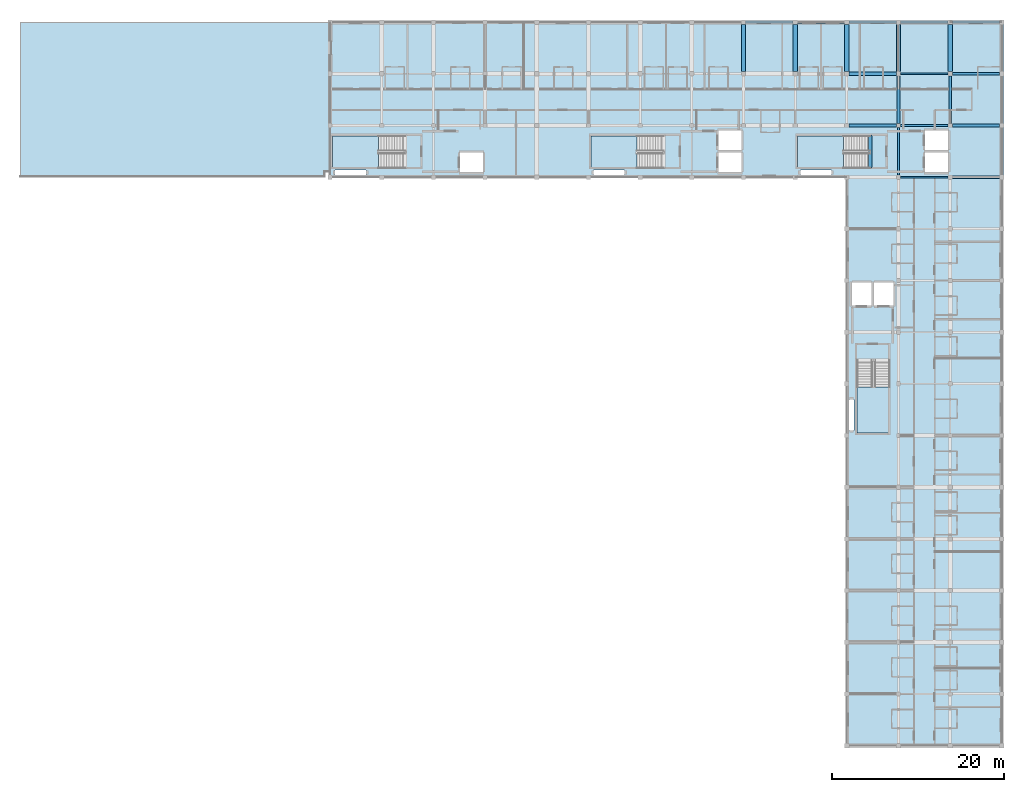
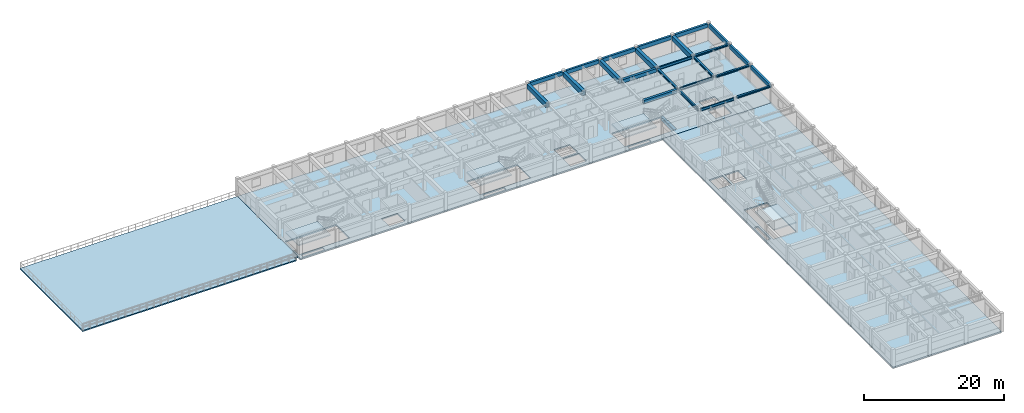
# One storey, part 2 of 15: 25 beams, 7 slabs, 4 elements without a shape of their own.
"""IFC4 building model written with IfcOpenShell, lengths in metres."""

from ifc_helpers import new_model, si_unit, direction, frame, origin, origin_2d, place, context, subcontext, project, spatial, polyline, rectangle, i_section, outline, extrude, material, layer, layer_set, material_profile, profile_set, type_object, element, aggregate, save


model = new_model("IFC4")

# Units and contexts
model_context = context("Model", 3, precision=1e-05, world=origin(), true_north=direction((0.0, 1.0)))
body_context = subcontext(model_context, "Body", "Model", "MODEL_VIEW")
ifc_project = project(units=[si_unit("LENGTHUNIT", "METRE"), si_unit("AREAUNIT", "SQUARE_METRE"), si_unit("VOLUMEUNIT", "CUBIC_METRE"), si_unit("PLANEANGLEUNIT", "RADIAN"), si_unit("MASSUNIT", "GRAM", prefix="KILO"), si_unit("THERMODYNAMICTEMPERATUREUNIT", "KELVIN"), si_unit("POWERUNIT", "WATT")], contexts=[model_context])

# Site, building, storey
site_placement = place(None, origin())
site = spatial("IfcSite", under=ifc_project, at=site_placement, CompositionType="ELEMENT")
building_placement = place(site_placement, origin())
building = spatial("IfcBuilding", under=site, at=building_placement, Name="Phaisarnlok Congress Hotel", CompositionType="ELEMENT")
storey_placement = place(building_placement, frame((0.0, 0.0, 38.10009765625)))
storey = spatial("IfcBuildingStorey", under=building, at=storey_placement, Name="L09", CompositionType="ELEMENT", Elevation=38.10009765625)

# Beams
ifc_material_1 = material(Name="Concrete C40/50", Category="concrete")
ifc_material_profile_1 = material_profile(ifc_material_1, rectangle(XDim=0.39990234375, YDim=0.60009765625, at=origin_2d()), Name="RC 400x600")
ifc_profile_set_1 = profile_set([ifc_material_profile_1], Name="Concrete C40/50")
beam_type_1 = type_object("IfcBeamType", Name="BM-RC-400x600", PredefinedType="BEAM", material=ifc_profile_set_1)
for number, where, z_axis, x_axis, name in (
    (1, (162.2451171875, 114.0, 2.760009765625), (1.0, 0.0, 0.0), (0.0, 1.0, 0.0), "Beam B-02"),
    (2, (162.2451171875, 120.0, 2.760009765625), (1.0, 0.0, 0.0), (0.0, 1.0, 0.0), "Beam B-02"),
):
    element("IfcBeam", number, at=place(storey_placement, frame(where, z_axis=z_axis, x_axis=x_axis)), inside=storey, type_object=beam_type_1, Name=name, PredefinedType="BEAM", context=body_context, shape_type="SweptSolid", body=[
        extrude(rectangle(XDim=0.39990234375, YDim=0.60009765625, at=origin_2d()), origin(), (0.0, 0.0, 1.0), 5.509765625),
    ])
beam_1_placement = place(storey_placement, frame((164.719970703125, 109.080078125, -0.300048828125), z_axis=(0.0, 1.0, 0.0), x_axis=(-1.0, 0.0, 0.0)))
element("IfcBeam", 3, at=beam_1_placement, inside=storey, type_object=beam_type_1, Name="Stair landing header beam B-02 (CORE-1 L09)", PredefinedType="BEAM", context=body_context, shape_type="SweptSolid", body=[
    extrude(rectangle(XDim=0.39990234375, YDim=0.60009765625, at=origin_2d()), origin(), (0.0, 0.0, 1.0), 3.83984375),
])
ifc_material_profile_2 = material_profile(ifc_material_1, rectangle(XDim=0.5, YDim=0.800048828125, at=origin_2d()), Name="RC 500x800")
ifc_profile_set_2 = profile_set([ifc_material_profile_2], Name="Concrete C40/50")
beam_type_2 = type_object("IfcBeamType", Name="BM-RC-500x800", PredefinedType="BEAM", material=ifc_profile_set_2)
for number, where, z_axis, x_axis, name in (
    (4, (150.0, 120.2451171875, 2.659912109375), (0.0, 1.0, 0.0), (-1.0, 0.0, 0.0), "Beam B-04"),
    (5, (156.0, 120.2451171875, 2.659912109375), (0.0, 1.0, 0.0), (-1.0, 0.0, 0.0), "Beam B-04"),
    (6, (162.0, 120.2451171875, 2.659912109375), (0.0, 1.0, 0.0), (-1.0, 0.0, 0.0), "Beam B-04"),
    (7, (168.0, 120.2451171875, 2.659912109375), (0.0, 1.0, 0.0), (-1.0, 0.0, 0.0), "Beam B-04"),
    (8, (174.0, 120.2451171875, 2.659912109375), (0.0, 1.0, 0.0), (-1.0, 0.0, 0.0), "Beam B-04"),
):
    element("IfcBeam", number, at=place(storey_placement, frame(where, z_axis=z_axis, x_axis=x_axis)), inside=storey, type_object=beam_type_2, Name=name, PredefinedType="BEAM", context=body_context, shape_type="SweptSolid", body=[
        extrude(rectangle(XDim=0.5, YDim=0.800048828125, at=origin_2d()), origin(), (0.0, 0.0, 1.0), 5.509765625),
    ])
ifc_material_2 = material(Name="Steel S355", Category="steel")
ifc_material_profile_3 = material_profile(ifc_material_2, i_section(OverallWidth=0.300048828125, OverallDepth=0.2900390625, WebThickness=0.008544921875, FlangeThickness=0.013916015625, FilletRadius=0.027099609375, at=origin_2d()), Name="HEA 300")
ifc_profile_set_3 = profile_set([ifc_material_profile_3], Name="Steel S355")
beam_type_3 = type_object("IfcBeamType", Name="BM-STL-HEA300", PredefinedType="BEAM", material=ifc_profile_set_3)
for number, where, z_axis, x_axis, name in (
    (9, (174.2451171875, 108.0, 2.914794921875), (1.0, 0.0, 0.0), (0.0, 1.0, 0.0), "Beam SB-05"),
    (10, (174.2451171875, 114.0, 2.914794921875), (1.0, 0.0, 0.0), (0.0, 1.0, 0.0), "Beam SB-05"),
    (11, (174.2451171875, 120.0, 2.914794921875), (1.0, 0.0, 0.0), (0.0, 1.0, 0.0), "Beam SB-05"),
):
    element("IfcBeam", number, at=place(storey_placement, frame(where, z_axis=z_axis, x_axis=x_axis)), inside=storey, type_object=beam_type_3, Name=name, PredefinedType="BEAM", context=body_context, shape_type="SweptSolid", body=[
        extrude(i_section(OverallWidth=0.300048828125, OverallDepth=0.2900390625, WebThickness=0.008544921875, FlangeThickness=0.013916015625, FilletRadius=0.027099609375, at=origin_2d()), origin(), (0.0, 0.0, 1.0), 5.509765625),
    ])
ifc_material_profile_4 = material_profile(ifc_material_2, i_section(OverallWidth=0.300048828125, OverallDepth=0.340087890625, WebThickness=0.011962890625, FlangeThickness=0.021484375, FilletRadius=0.027099609375, at=origin_2d()), Name="HEB 340")
ifc_profile_set_4 = profile_set([ifc_material_profile_4], Name="Steel S355")
beam_type_4 = type_object("IfcBeamType", Name="BM-STL-HEB340", PredefinedType="BEAM", material=ifc_profile_set_4)
for number, where, z_axis, x_axis, name in (
    (12, (168.0, 114.2451171875, 2.889892578125), (0.0, 1.0, 0.0), (-1.0, 0.0, 0.0), "Beam SB-07"),
    (13, (174.0, 114.2451171875, 2.889892578125), (0.0, 1.0, 0.0), (-1.0, 0.0, 0.0), "Beam SB-07"),
):
    element("IfcBeam", number, at=place(storey_placement, frame(where, z_axis=z_axis, x_axis=x_axis)), inside=storey, type_object=beam_type_4, Name=name, PredefinedType="BEAM", context=body_context, shape_type="SweptSolid", body=[
        extrude(i_section(OverallWidth=0.300048828125, OverallDepth=0.340087890625, WebThickness=0.011962890625, FlangeThickness=0.021484375, FilletRadius=0.027099609375, at=origin_2d()), origin(), (0.0, 0.0, 1.0), 5.509765625),
    ])
ifc_material_profile_5 = material_profile(ifc_material_2, i_section(OverallWidth=0.18994140625, OverallDepth=0.449951171875, WebThickness=0.009521484375, FlangeThickness=0.0146484375, FilletRadius=0.02099609375, at=origin_2d()), Name="IPE 450")
ifc_profile_set_5 = profile_set([ifc_material_profile_5], Name="Steel S355")
beam_type_5 = type_object("IfcBeamType", Name="BM-STL-IPE450", PredefinedType="BEAM", material=ifc_profile_set_5)
for number, where, z_axis, x_axis, name in (
    (14, (168.2451171875, 108.0, 2.8349609375), (1.0, 0.0, 0.0), (0.0, 1.0, 0.0), "Beam SB-01"),
    (15, (168.2451171875, 114.0, 2.8349609375), (1.0, 0.0, 0.0), (0.0, 1.0, 0.0), "Beam SB-01"),
    (16, (168.2451171875, 120.0, 2.8349609375), (1.0, 0.0, 0.0), (0.0, 1.0, 0.0), "Beam SB-01"),
):
    element("IfcBeam", number, at=place(storey_placement, frame(where, z_axis=z_axis, x_axis=x_axis)), inside=storey, type_object=beam_type_5, Name=name, PredefinedType="BEAM", context=body_context, shape_type="SweptSolid", body=[
        extrude(i_section(OverallWidth=0.18994140625, OverallDepth=0.449951171875, WebThickness=0.009521484375, FlangeThickness=0.0146484375, FilletRadius=0.02099609375, at=origin_2d()), origin(), (0.0, 0.0, 1.0), 5.509765625),
    ])
ifc_material_profile_6 = material_profile(ifc_material_2, i_section(OverallWidth=0.199951171875, OverallDepth=0.5, WebThickness=0.01025390625, FlangeThickness=0.01611328125, FilletRadius=0.02099609375, at=origin_2d()), Name="IPE 500")
ifc_profile_set_6 = profile_set([ifc_material_profile_6], Name="Steel S355")
beam_type_6 = type_object("IfcBeamType", Name="BM-STL-IPE500", PredefinedType="BEAM", material=ifc_profile_set_6)
beam_2_placement = place(storey_placement, frame((168.0, 108.2451171875, 2.809814453125), z_axis=(0.0, 1.0, 0.0), x_axis=(-1.0, 0.0, 0.0)))
element("IfcBeam", 17, at=beam_2_placement, inside=storey, type_object=beam_type_6, Name="Beam SB-02", PredefinedType="BEAM", context=body_context, shape_type="SweptSolid", body=[
    extrude(i_section(OverallWidth=0.199951171875, OverallDepth=0.5, WebThickness=0.01025390625, FlangeThickness=0.01611328125, FilletRadius=0.02099609375, at=origin_2d()), origin(), (0.0, 0.0, 1.0), 5.509765625),
])
ifc_material_profile_7 = material_profile(ifc_material_1, rectangle(XDim=0.35009765625, YDim=0.64990234375, at=origin_2d()), Name="RC 350x650")
ifc_profile_set_7 = profile_set([ifc_material_profile_7], Name="Concrete C40/50")
beam_type_7 = type_object("IfcBeamType", Name="SP-RC-350x650", PredefinedType="SPANDREL", material=ifc_profile_set_7)
for number, where, z_axis, x_axis, name in (
    (18, (150.2451171875, 126.0, 2.73486328125), (1.0, 0.0, 0.0), (0.0, 1.0, 0.0), "Beam SP-01"),
    (19, (156.2451171875, 126.0, 2.73486328125), (1.0, 0.0, 0.0), (0.0, 1.0, 0.0), "Beam SP-01"),
    (20, (162.2451171875, 126.0, 2.73486328125), (1.0, 0.0, 0.0), (0.0, 1.0, 0.0), "Beam SP-01"),
    (21, (168.2451171875, 126.0, 2.73486328125), (1.0, 0.0, 0.0), (0.0, 1.0, 0.0), "Beam SP-01"),
    (22, (174.2451171875, 126.0, 2.73486328125), (1.0, 0.0, 0.0), (0.0, 1.0, 0.0), "Beam SP-01"),
    (23, (180.0, 108.2451171875, 2.73486328125), (0.0, 1.0, 0.0), (-1.0, 0.0, 0.0), "Beam SP-01"),
    (24, (180.0, 114.2451171875, 2.73486328125), (0.0, 1.0, 0.0), (-1.0, 0.0, 0.0), "Beam SP-01"),
    (25, (180.0, 120.2451171875, 2.73486328125), (0.0, 1.0, 0.0), (-1.0, 0.0, 0.0), "Beam SP-01"),
):
    element("IfcBeam", number, at=place(storey_placement, frame(where, z_axis=z_axis, x_axis=x_axis)), inside=storey, type_object=beam_type_7, Name=name, PredefinedType="SPANDREL", context=body_context, shape_type="SweptSolid", body=[
        extrude(rectangle(XDim=0.35009765625, YDim=0.64990234375, at=origin_2d()), origin(), (0.0, 0.0, 1.0), 5.509765625),
    ])

# Slabs
ifc_layer_1 = layer(ifc_material_1, 0.22998046875, Name="Concrete C40/50")
ifc_layer_set_1 = layer_set([ifc_layer_1], Name="Concrete C40/50")
slab_type_1 = type_object("IfcSlabType", Name="SLB-INT-230", PredefinedType="FLOOR", material=ifc_layer_set_1)
slab_1_placement = place(storey_placement, frame((0.0, 0.0, -0.22998046875)))
element("IfcSlab", 26, at=slab_1_placement, inside=storey, type_object=slab_type_1, Name="Floor slab SL-INT-230 (L09 v5_n)", PredefinedType="FLOOR", context=body_context, shape_type="SweptSolid", body=[
    extrude(outline(polyline([(180.0, 108.0), (180.0, 126.0), (102.0, 126.0), (102.0, 108.0), (180.0, 108.0)]), holes=[polyline([(164.719970703125, 112.800048828125), (156.300048828125, 112.800048828125), (156.300048828125, 109.0), (164.719970703125, 109.0), (164.719970703125, 112.800048828125)]), polyline([(140.719970703125, 112.800048828125), (132.300048828125, 112.800048828125), (132.300048828125, 109.0), (140.719970703125, 109.0), (140.719970703125, 112.800048828125)]), polyline([(110.719970703125, 112.800048828125), (102.300048828125, 112.800048828125), (102.300048828125, 109.0), (110.719970703125, 109.0), (110.719970703125, 112.800048828125)]), polyline([(173.75, 108.60009765625), (173.75, 110.85009765625), (171.10009765625, 110.85009765625), (171.10009765625, 108.60009765625), (173.75, 108.60009765625)]), polyline([(173.75, 111.14990234375), (173.75, 113.39990234375), (171.10009765625, 113.39990234375), (171.10009765625, 111.14990234375), (173.75, 111.14990234375)]), polyline([(160.199951171875, 108.25), (160.199951171875, 108.85009765625), (156.60009765625, 108.85009765625), (156.60009765625, 108.25), (160.199951171875, 108.25)]), polyline([(149.75, 108.60009765625), (149.75, 110.85009765625), (147.10009765625, 110.85009765625), (147.10009765625, 108.60009765625), (149.75, 108.60009765625)]), polyline([(149.75, 111.14990234375), (149.75, 113.39990234375), (147.10009765625, 113.39990234375), (147.10009765625, 111.14990234375), (149.75, 111.14990234375)]), polyline([(136.199951171875, 108.25), (136.199951171875, 108.85009765625), (132.60009765625, 108.85009765625), (132.60009765625, 108.25), (136.199951171875, 108.25)]), polyline([(119.75, 108.60009765625), (119.75, 110.85009765625), (117.10009765625, 110.85009765625), (117.10009765625, 108.60009765625), (119.75, 108.60009765625)]), polyline([(106.199951171875, 108.25), (106.199951171875, 108.85009765625), (102.60009765625, 108.85009765625), (102.60009765625, 108.25), (106.199951171875, 108.25)])]), origin(), (0.0, 0.0, 1.0), 0.22998046875),
])
slab_2_placement = place(storey_placement, frame((0.0, 0.0, -0.22998046875)))
element("IfcSlab", 27, at=slab_2_placement, inside=storey, type_object=slab_type_1, Name="Floor slab SL-INT-230 (L09 v5_e)", PredefinedType="FLOOR", context=body_context, shape_type="SweptSolid", body=[
    extrude(outline(polyline([(180.0, 42.0), (180.0, 108.0), (162.0, 108.0), (162.0, 42.0), (180.0, 42.0)]), holes=[polyline([(163.199951171875, 86.719970703125), (163.199951171875, 78.300048828125), (167.0, 78.300048828125), (167.0, 86.719970703125), (163.199951171875, 86.719970703125)]), polyline([(164.85009765625, 93.10009765625), (164.85009765625, 95.75), (162.60009765625, 95.75), (162.60009765625, 93.10009765625), (164.85009765625, 93.10009765625)]), polyline([(167.39990234375, 93.10009765625), (167.39990234375, 95.75), (165.14990234375, 95.75), (165.14990234375, 93.10009765625), (167.39990234375, 93.10009765625)]), polyline([(162.85009765625, 78.60009765625), (162.85009765625, 82.199951171875), (162.25, 82.199951171875), (162.25, 78.60009765625), (162.85009765625, 78.60009765625)])]), origin(), (0.0, 0.0, 1.0), 0.22998046875),
])

# Stair, slab
stair_type = type_object("IfcStairType", Name="STR-DOG-05", PredefinedType="HALF_TURN_STAIR", material=ifc_material_1)
stair_1_placement = place(storey_placement, origin())
stair_1 = element("IfcStair", 28, at=stair_1_placement, inside=storey, type_object=stair_type, Name="L09 ST-05", PredefinedType="HALF_TURN_STAIR")
ifc_layer_2 = layer(ifc_material_1, 0.199951171875, Name="Concrete C40/50")
ifc_layer_set_2 = layer_set([ifc_layer_2], Name="Concrete C40/50")
slab_type_2 = type_object("IfcSlabType", Name="SLB-LND-200", PredefinedType="LANDING", material=ifc_layer_set_2)
slab_3_placement = place(storey_placement, frame((0.0, 0.0, 1.449951171875)))
slab_3 = element("IfcSlab", 29, at=slab_3_placement, type_object=slab_type_2, Name="ST-05 landing 1", PredefinedType="LANDING", context=body_context, shape_type="SweptSolid", body=[
    extrude(outline(polyline([(161.6201171875, 112.800048828125), (156.300048828125, 112.800048828125), (156.300048828125, 109.0), (161.6201171875, 109.0), (161.6201171875, 112.800048828125)])), origin(), (0.0, 0.0, 1.0), 0.199951171875),
])
aggregate(stair_1, [slab_3])

stair_2_placement = place(storey_placement, origin())
stair_2 = element("IfcStair", 30, at=stair_2_placement, inside=storey, type_object=stair_type, Name="L09 ST-06", PredefinedType="HALF_TURN_STAIR")
slab_4_placement = place(storey_placement, frame((0.0, 0.0, 1.449951171875)))
slab_4 = element("IfcSlab", 31, at=slab_4_placement, type_object=slab_type_2, Name="ST-06 landing 1", PredefinedType="LANDING", context=body_context, shape_type="SweptSolid", body=[
    extrude(outline(polyline([(137.6201171875, 112.800048828125), (132.300048828125, 112.800048828125), (132.300048828125, 109.0), (137.6201171875, 109.0), (137.6201171875, 112.800048828125)])), origin(), (0.0, 0.0, 1.0), 0.199951171875),
])
aggregate(stair_2, [slab_4])

stair_3_placement = place(storey_placement, origin())
stair_3 = element("IfcStair", 32, at=stair_3_placement, inside=storey, type_object=stair_type, Name="L09 ST-07", PredefinedType="HALF_TURN_STAIR")
slab_5_placement = place(storey_placement, frame((0.0, 0.0, 1.449951171875)))
slab_5 = element("IfcSlab", 33, at=slab_5_placement, type_object=slab_type_2, Name="ST-07 landing 1", PredefinedType="LANDING", context=body_context, shape_type="SweptSolid", body=[
    extrude(outline(polyline([(107.6201171875, 112.800048828125), (102.300048828125, 112.800048828125), (102.300048828125, 109.0), (107.6201171875, 109.0), (107.6201171875, 112.800048828125)])), origin(), (0.0, 0.0, 1.0), 0.199951171875),
])
aggregate(stair_3, [slab_5])

stair_4_placement = place(storey_placement, origin())
stair_4 = element("IfcStair", 34, at=stair_4_placement, inside=storey, type_object=stair_type, Name="L09 ST-09", PredefinedType="HALF_TURN_STAIR")
slab_6_placement = place(storey_placement, frame((0.0, 0.0, 1.449951171875)))
slab_6 = element("IfcSlab", 35, at=slab_6_placement, type_object=slab_type_2, Name="ST-09 landing 1", PredefinedType="LANDING", context=body_context, shape_type="SweptSolid", body=[
    extrude(outline(polyline([(163.199951171875, 83.6201171875), (163.199951171875, 78.300048828125), (167.0, 78.300048828125), (167.0, 83.6201171875), (163.199951171875, 83.6201171875)])), origin(), (0.0, 0.0, 1.0), 0.199951171875),
])
aggregate(stair_4, [slab_6])

# Slab
ifc_layer_3 = layer(ifc_material_1, 0.199951171875, Name="Concrete C40/50")
ifc_layer_set_3 = layer_set([ifc_layer_3], Name="Concrete C40/50")
slab_type_3 = type_object("IfcSlabType", Name="SLB-TER-200", PredefinedType="FLOOR", material=ifc_layer_set_3)
slab_7_placement = place(storey_placement, frame((0.0, 0.0, -0.2001953125)))
element("IfcSlab", 36, at=slab_7_placement, inside=storey, type_object=slab_type_3, Name="Outdoor terrace slab SL-TER-200 (L09 sky_terrace_w9)", PredefinedType="FLOOR", context=body_context, shape_type="SweptSolid", body=[
    extrude(outline(polyline([(66.0, 108.0), (101.39990234375, 108.0), (101.39990234375, 108.60009765625), (102.0, 108.60009765625), (102.0, 126.0), (66.0, 126.0), (66.0, 108.0)])), origin(), (0.0, 0.0, 1.0), 0.2001953125),
])

save(model, "model.ifc")
